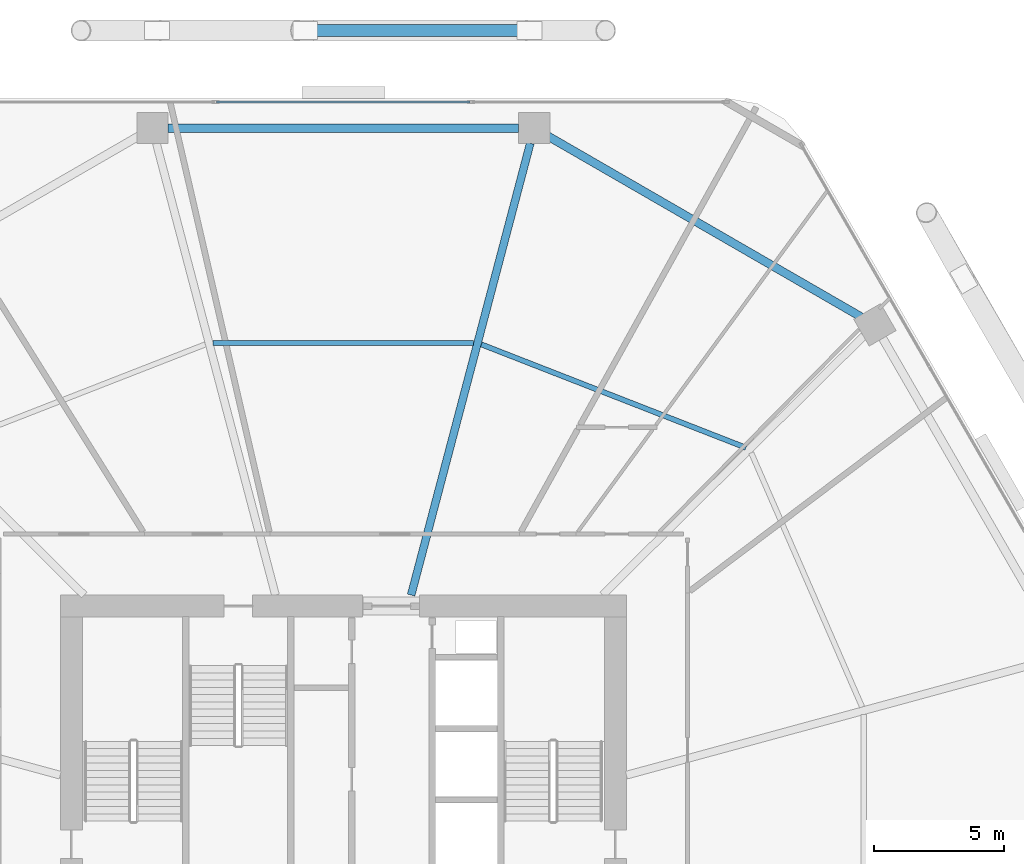
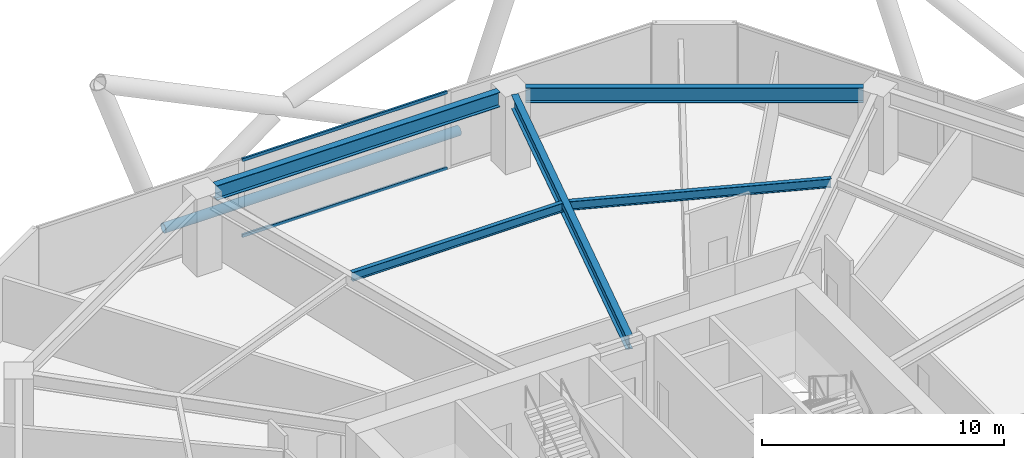
# One storey, part 20 of 30: 5 beams, 3 members, 1 element without a shape of its own.
"""IFC4 building model written with IfcOpenShell, lengths in metres."""

from ifc_helpers import new_model, si_unit, direction, frame, origin, origin_2d, place, context, subcontext, project, spatial, hollow_rectangle, hollow_circle, i_section, extrude, material, material_profile, profile_set, type_object, element, aggregate, save


model = new_model("IFC4")

# Units and contexts
model_context = context("Model", 3, precision=1e-05, world=origin(), true_north=direction((0.0, 1.0)))
body_context = subcontext(model_context, "Body", "Model", "MODEL_VIEW")
ifc_project = project(units=[si_unit("LENGTHUNIT", "METRE"), si_unit("AREAUNIT", "SQUARE_METRE"), si_unit("VOLUMEUNIT", "CUBIC_METRE"), si_unit("PLANEANGLEUNIT", "RADIAN"), si_unit("MASSUNIT", "GRAM", prefix="KILO")], contexts=[model_context])

# Site, building, storey
site_placement = place(None, origin())
site = spatial("IfcSite", under=ifc_project, at=site_placement, CompositionType="ELEMENT")
building_placement = place(site_placement, origin())
building = spatial("IfcBuilding", under=site, at=building_placement, Name="Zuhravey Tower", CompositionType="ELEMENT")
storey_placement = place(building_placement, frame((0.0, 0.0, 33.0)))
storey = spatial("IfcBuildingStorey", under=building, at=storey_placement, Name="L08", CompositionType="ELEMENT", Elevation=33.0)

# Curtain wall, members
ifc_material_1 = material(Name="Thermally broken anodised aluminium", Category="aluminium")
curtain_wall_type = type_object("IfcCurtainWallType", Name="School Low-E Unitised Curtain Wall CW1", PredefinedType="NOTDEFINED", material=ifc_material_1)
curtain_wall_placement = place(storey_placement, origin())
curtain_wall = element("IfcCurtainWall", 1, at=curtain_wall_placement, inside=storey, type_object=curtain_wall_type, Name="L08 CW1 CW-L08-F2-1", PredefinedType="NOTDEFINED")
ifc_material_2 = material(Name="Anodised aluminium", Category="aluminium")
ifc_material_profile_1 = material_profile(ifc_material_2, hollow_rectangle(XDim=0.090087890625, YDim=0.14990234375, WallThickness=0.0048828125, at=origin_2d()), Name="ALU-RHS-90x150x5")
ifc_profile_set_1 = profile_set([ifc_material_profile_1], Name="Anodised aluminium")
member_type_1 = type_object("IfcMemberType", Name="Curtain-Wall Transom 90x150", PredefinedType="USERDEFINED", material=ifc_profile_set_1)
member_1_placement = place(storey_placement, frame((31.11181640625, 60.95849609375, 0.044921875), z_axis=(1.0, 0.0, 0.0), x_axis=(0.0, 1.0, 0.0)))
member_1 = element("IfcMember", 2, at=member_1_placement, type_object=member_type_1, Name="CW1 transom 2.1", ObjectType="TRANSOM", PredefinedType="USERDEFINED", context=body_context, shape_type="SweptSolid", body=[
    extrude(hollow_rectangle(XDim=0.090087890625, YDim=0.14990234375, WallThickness=0.0048828125, at=origin_2d()), origin(), (0.0, 0.0, 1.0), 9.7763671875),
])
member_2_placement = place(storey_placement, frame((31.11181640625, 60.95849609375, 3.875), z_axis=(1.0, 0.0, 0.0), x_axis=(0.0, 1.0, 0.0)))
member_2 = element("IfcMember", 3, at=member_2_placement, type_object=member_type_1, Name="CW1 transom 2.2", ObjectType="TRANSOM", PredefinedType="USERDEFINED", context=body_context, shape_type="SweptSolid", body=[
    extrude(hollow_rectangle(XDim=0.090087890625, YDim=0.14990234375, WallThickness=0.0048828125, at=origin_2d()), origin(), (0.0, 0.0, 1.0), 9.7763671875),
])
aggregate(curtain_wall, [member_1, member_2])

# Member
ifc_material_3 = material(Name="Steel SM355", Category="steel")
ifc_material_profile_2 = material_profile(ifc_material_3, hollow_circle(Radius=0.228515625, WallThickness=0.02197265625, at=origin_2d()), Name="CHS-457.2x22")
ifc_profile_set_2 = profile_set([ifc_material_profile_2], Name="Steel SM355")
member_type_2 = type_object("IfcMemberType", Name="Exoskeleton Ring Tie CHS457x22", PredefinedType="CHORD", material=ifc_profile_set_2)
member_3_placement = place(storey_placement, frame((43.053955078125, 63.718505859375, -0.493896484375), z_axis=(-1.0, 0.0, 0.0), x_axis=(0.0, -1.0, 0.0)))
element("IfcMember", 4, at=member_3_placement, inside=storey, type_object=member_type_2, Name="L08 Exoskeleton Face 2 Tie EXR1", PredefinedType="CHORD", context=body_context, shape_type="SweptSolid", body=[
    extrude(hollow_circle(Radius=0.228515625, WallThickness=0.02197265625, at=origin_2d()), origin(), (0.0, 0.0, 1.0), 14.10791015625),
])

# Beams
ifc_material_profile_3 = material_profile(ifc_material_3, i_section(OverallWidth=0.320068359375, OverallDepth=0.75, WebThickness=0.013916015625, FlangeThickness=0.02490234375, at=origin_2d()), Name="H-750x320x14x25")
ifc_profile_set_3 = profile_set([ifc_material_profile_3], Name="Steel SM355")
beam_type_1 = type_object("IfcBeamType", Name="Perimeter Ring Beam H750x320", PredefinedType="BEAM", material=ifc_profile_set_3)
beam_1_placement = place(storey_placement, frame((55.996826171875, 52.658447265625, 3.544921875), z_axis=(-0.866029969761, 0.499992091414, 0.0), x_axis=(-0.499992091414, -0.866029969761, 0.0)))
element("IfcBeam", 5, at=beam_1_placement, inside=storey, type_object=beam_type_1, Name="L08 PB1 BM-L08-PB-02", PredefinedType="BEAM", context=body_context, shape_type="SweptSolid", body=[
    extrude(i_section(OverallWidth=0.320068359375, OverallDepth=0.75, WebThickness=0.013916015625, FlangeThickness=0.02490234375, at=origin_2d()), origin(), (0.0, 0.0, 1.0), 13.977294921875),
])
beam_2_placement = place(storey_placement, frame((42.76708984375, 59.948486328125, 3.544921875), z_axis=(-1.0, 0.0, 0.0), x_axis=(0.0, -1.0, 0.0)))
element("IfcBeam", 6, at=beam_2_placement, inside=storey, type_object=beam_type_1, Name="L08 PB1 BM-L08-PB-03", PredefinedType="BEAM", context=body_context, shape_type="SweptSolid", body=[
    extrude(i_section(OverallWidth=0.320068359375, OverallDepth=0.75, WebThickness=0.013916015625, FlangeThickness=0.02490234375, at=origin_2d()), origin(), (0.0, 0.0, 1.0), 13.5341796875),
])
ifc_material_profile_4 = material_profile(ifc_material_3, i_section(OverallWidth=0.300048828125, OverallDepth=0.699951171875, WebThickness=0.012939453125, FlangeThickness=0.02392578125, at=origin_2d()), Name="H-700x300x13x24")
ifc_profile_set_4 = profile_set([ifc_material_profile_4], Name="Steel SM355")
beam_type_2 = type_object("IfcBeamType", Name="Radial Primary Girder H700x300", PredefinedType="BEAM", material=ifc_profile_set_4)
beam_3_placement = place(storey_placement, frame((38.617919921875, 41.927978515625, 3.570068359375), z_axis=(0.254989720435, 0.966943763862, 0.0), x_axis=(-0.966943763862, 0.254989720435, 0.0)))
element("IfcBeam", 7, at=beam_3_placement, inside=storey, type_object=beam_type_2, Name="L08 RG1 BM-L08-RAD-03", PredefinedType="BEAM", context=body_context, shape_type="SweptSolid", body=[
    extrude(i_section(OverallWidth=0.300048828125, OverallDepth=0.699951171875, WebThickness=0.012939453125, FlangeThickness=0.02392578125, at=origin_2d()), origin(), (0.0, 0.0, 1.0), 18.03369140625),
])
ifc_material_profile_5 = material_profile(ifc_material_3, i_section(OverallWidth=0.199951171875, OverallDepth=0.449951171875, WebThickness=0.009033203125, FlangeThickness=0.013916015625, at=origin_2d()), Name="H-450x200x9x14")
ifc_profile_set_5 = profile_set([ifc_material_profile_5], Name="Steel SM355")
beam_type_3 = type_object("IfcBeamType", Name="Secondary Floor Joist H450x200", PredefinedType="JOIST", material=ifc_profile_set_5)
beam_4_placement = place(storey_placement, frame((51.5400390625, 47.61572265625, 3.695068359375), z_axis=(-0.931516535886, 0.363698973562, 0.0), x_axis=(-0.363698973562, -0.931516535886, 0.0)))
element("IfcBeam", 8, at=beam_4_placement, inside=storey, type_object=beam_type_3, Name="L08 SJ1 BM-L08-SJ-02-1", PredefinedType="JOIST", context=body_context, shape_type="SweptSolid", body=[
    extrude(i_section(OverallWidth=0.199951171875, OverallDepth=0.449951171875, WebThickness=0.009033203125, FlangeThickness=0.013916015625, at=origin_2d()), origin(), (0.0, 0.0, 1.0), 10.963134765625),
])
beam_5_placement = place(storey_placement, frame((41.030029296875, 51.6591796875, 3.695068359375), z_axis=(-1.0, 0.0, 0.0), x_axis=(0.0, -1.0, 0.0)))
element("IfcBeam", 9, at=beam_5_placement, inside=storey, type_object=beam_type_3, Name="L08 SJ1 BM-L08-SJ-03-1", PredefinedType="JOIST", context=body_context, shape_type="SweptSolid", body=[
    extrude(i_section(OverallWidth=0.199951171875, OverallDepth=0.449951171875, WebThickness=0.009033203125, FlangeThickness=0.013916015625, at=origin_2d()), origin(), (0.0, 0.0, 1.0), 10.06005859375),
])

save(model, "model.ifc")
